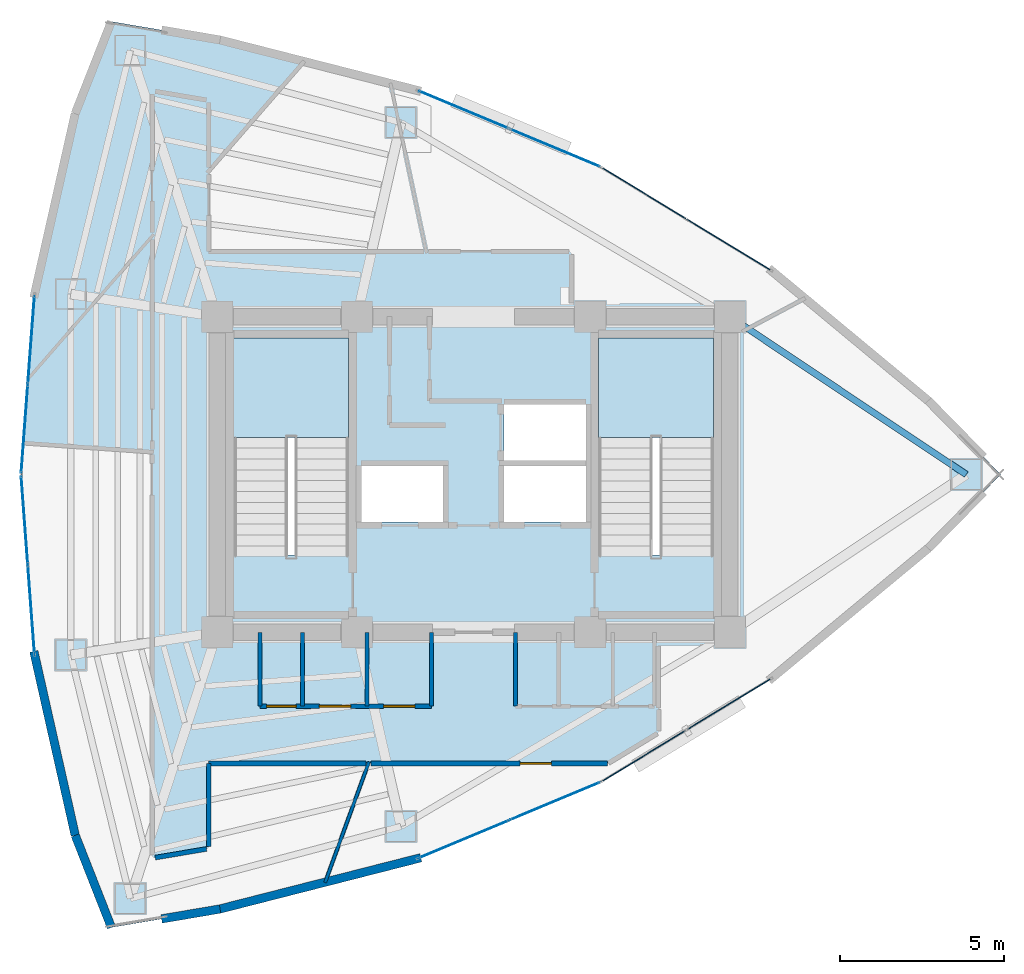
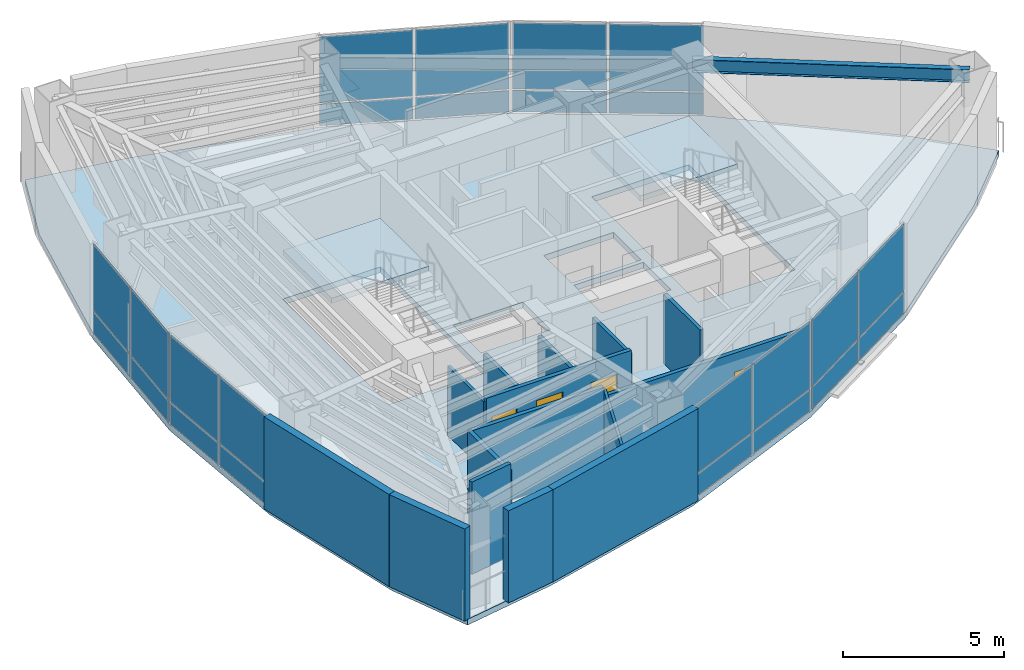
# One storey, part 11 of 15: 24 plates, 15 walls, 4 doors, 3 slabs, 1 beam, 4 openings, 8 elements without a shape of their own.
"""IFC4 building model written with IfcOpenShell, lengths in metres."""

from ifc_helpers import new_model, si_unit, direction, frame, frame_2d, origin, origin_2d, place, context, subcontext, project, spatial, polyline, rectangle, i_section, outline, extrude, material, layer, layer_set, material_profile, profile_set, type_object, element, fill, aggregate, save


model = new_model("IFC4")

# Units and contexts
model_context = context("Model", 3, precision=1e-05, world=origin(), true_north=direction((0.0, 1.0)))
body_context = subcontext(model_context, "Body", "Model", "MODEL_VIEW")
ifc_project = project(units=[si_unit("LENGTHUNIT", "METRE"), si_unit("AREAUNIT", "SQUARE_METRE"), si_unit("VOLUMEUNIT", "CUBIC_METRE"), si_unit("PLANEANGLEUNIT", "RADIAN"), si_unit("MASSUNIT", "GRAM", prefix="KILO")], contexts=[model_context])

# Site, building, storey
site_placement = place(None, origin())
site = spatial("IfcSite", under=ifc_project, at=site_placement, CompositionType="ELEMENT")
building_placement = place(site_placement, origin())
building = spatial("IfcBuilding", under=site, at=building_placement, Name="Menara Vayukalpa", CompositionType="ELEMENT")
storey_placement = place(building_placement, frame((0.0, 0.0, 223.260009765625)))
storey = spatial("IfcBuildingStorey", under=building, at=storey_placement, Name="L56", CompositionType="ELEMENT", Elevation=223.260009765625)

# Beam
ifc_material_1 = material(Name="Steel S355", Category="steel")
ifc_material_profile = material_profile(ifc_material_1, i_section(OverallWidth=0.199951171875, OverallDepth=0.5, WebThickness=0.010009765625, FlangeThickness=0.01611328125, at=origin_2d()), Name="WF 500x200x10x16")
ifc_profile_set = profile_set([ifc_material_profile], Name="Steel S355")
beam_type = type_object("IfcBeamType", Name="BM-SP3", PredefinedType="SPANDREL", material=ifc_profile_set)
beam_placement = place(storey_placement, frame((40.590576171875, 22.0, 3.25), z_axis=(-0.831715622571, 0.555201876052, 0.0), x_axis=(-0.555201876052, -0.831715622571, 0.0)))
element("IfcBeam", 1, at=beam_placement, inside=storey, type_object=beam_type, Name="L56 Perimeter Spandrel Beam SP01", PredefinedType="SPANDREL", context=body_context, shape_type="SweptSolid", body=[
    extrude(i_section(OverallWidth=0.199951171875, OverallDepth=0.5, WebThickness=0.010009765625, FlangeThickness=0.01611328125, at=origin_2d()), origin(), (0.0, 0.0, 1.0), 8.6455078125),
])

# Curtain wall, plates
ifc_material_2 = material(Name="Anodised Terracotta Aluminium Alloy 6063-T6", Category="masonry")
ifc_layer_1 = layer(ifc_material_2, 0.139892578125)
ifc_layer_set_1 = layer_set([ifc_layer_1], Name="Anodised Terracotta Aluminium Alloy 6063-T6")
curtain_wall_type = type_object("IfcCurtainWallType", Name="CW-CW5", PredefinedType="USERDEFINED", material=ifc_layer_set_1)
curtain_wall_1_placement = place(storey_placement, origin())
curtain_wall_1 = element("IfcCurtainWall", 2, at=curtain_wall_1_placement, inside=storey, type_object=curtain_wall_type, Name="L56 High Rise Tapered Curtain Wall CW5 04", ObjectType="UNITISED", PredefinedType="USERDEFINED")
ifc_material_3 = material(Name="Low-E Double Glazing", Category="glass")
ifc_layer_2 = layer(ifc_material_3, 0.028076171875)
ifc_layer_set_2 = layer_set([ifc_layer_2], Name="Low-E Double Glazing")
plate_type = type_object("IfcPlateType", Name="CWP-CW5", PredefinedType="CURTAIN_PANEL", material=ifc_layer_set_2)
plate_1_placement = place(storey_placement, frame((33.358642578125, 28.994384765625, 0.06005859375), z_axis=(0.0, 0.0, 1.0), x_axis=(-0.854664974832, 0.519179911779, 0.0)))
plate_1 = element("IfcPlate", 3, at=plate_1_placement, type_object=plate_type, Name="CW5 panel 1.1", PredefinedType="CURTAIN_PANEL", context=body_context, shape_type="SweptSolid", body=[
    extrude(rectangle(XDim=2.9423828125, YDim=0.028076171875, at=origin_2d()), origin(), (0.0, 0.0, 1.0), 0.81005859375),
])
plate_2_placement = place(storey_placement, frame((33.358642578125, 28.994384765625, 0.93017578125), z_axis=(0.0, 0.0, 1.0), x_axis=(-0.854664974832, 0.519179911779, 0.0)))
plate_2 = element("IfcPlate", 4, at=plate_2_placement, type_object=plate_type, Name="CW5 panel 1.2", PredefinedType="CURTAIN_PANEL", context=body_context, shape_type="SweptSolid", body=[
    extrude(rectangle(XDim=2.9423828125, YDim=0.028076171875, at=origin_2d()), origin(), (0.0, 0.0, 1.0), 2.510009765625),
])
plate_3_placement = place(storey_placement, frame((30.79248046875, 30.55322265625, 0.06005859375), z_axis=(0.0, 0.0, 1.0), x_axis=(-0.854664974832, 0.519179911779, 0.0)))
plate_3 = element("IfcPlate", 5, at=plate_3_placement, type_object=plate_type, Name="CW5 panel 2.1", PredefinedType="CURTAIN_PANEL", context=body_context, shape_type="SweptSolid", body=[
    extrude(rectangle(XDim=2.9423828125, YDim=0.028076171875, at=origin_2d()), origin(), (0.0, 0.0, 1.0), 0.81005859375),
])
plate_4_placement = place(storey_placement, frame((30.79248046875, 30.55322265625, 0.93017578125), z_axis=(0.0, 0.0, 1.0), x_axis=(-0.854664974832, 0.519179911779, 0.0)))
plate_4 = element("IfcPlate", 6, at=plate_4_placement, type_object=plate_type, Name="CW5 panel 2.2", PredefinedType="CURTAIN_PANEL", context=body_context, shape_type="SweptSolid", body=[
    extrude(rectangle(XDim=2.9423828125, YDim=0.028076171875, at=origin_2d()), origin(), (0.0, 0.0, 1.0), 2.510009765625),
])
aggregate(curtain_wall_1, [plate_1, plate_2, plate_3, plate_4])

curtain_wall_2_placement = place(storey_placement, origin())
curtain_wall_2 = element("IfcCurtainWall", 7, at=curtain_wall_2_placement, inside=storey, type_object=curtain_wall_type, Name="L56 High Rise Tapered Curtain Wall CW5 05", ObjectType="UNITISED", PredefinedType="USERDEFINED")
plate_5_placement = place(storey_placement, frame((28.071044921875, 31.93896484375, 0.06005859375), z_axis=(0.0, 0.0, 1.0), x_axis=(-0.922539431351, 0.385902834406, 0.0)))
plate_5 = element("IfcPlate", 8, at=plate_5_placement, type_object=plate_type, Name="CW5 panel 1.1", PredefinedType="CURTAIN_PANEL", context=body_context, shape_type="SweptSolid", body=[
    extrude(rectangle(XDim=2.9423828125, YDim=0.028076171875, at=origin_2d()), origin(), (0.0, 0.0, 1.0), 0.81005859375),
])
plate_6_placement = place(storey_placement, frame((28.071044921875, 31.93896484375, 0.93017578125), z_axis=(0.0, 0.0, 1.0), x_axis=(-0.922539431351, 0.385902834406, 0.0)))
plate_6 = element("IfcPlate", 9, at=plate_6_placement, type_object=plate_type, Name="CW5 panel 1.2", PredefinedType="CURTAIN_PANEL", context=body_context, shape_type="SweptSolid", body=[
    extrude(rectangle(XDim=2.9423828125, YDim=0.028076171875, at=origin_2d()), origin(), (0.0, 0.0, 1.0), 2.510009765625),
])
plate_7_placement = place(storey_placement, frame((25.30126953125, 33.09765625, 0.06005859375), z_axis=(0.0, 0.0, 1.0), x_axis=(-0.922539431351, 0.385902834406, 0.0)))
plate_7 = element("IfcPlate", 10, at=plate_7_placement, type_object=plate_type, Name="CW5 panel 2.1", PredefinedType="CURTAIN_PANEL", context=body_context, shape_type="SweptSolid", body=[
    extrude(rectangle(XDim=2.9423828125, YDim=0.028076171875, at=origin_2d()), origin(), (0.0, 0.0, 1.0), 0.81005859375),
])
plate_8_placement = place(storey_placement, frame((25.30126953125, 33.09765625, 0.93017578125), z_axis=(0.0, 0.0, 1.0), x_axis=(-0.922539431351, 0.385902834406, 0.0)))
plate_8 = element("IfcPlate", 11, at=plate_8_placement, type_object=plate_type, Name="CW5 panel 2.2", PredefinedType="CURTAIN_PANEL", context=body_context, shape_type="SweptSolid", body=[
    extrude(rectangle(XDim=2.9423828125, YDim=0.028076171875, at=origin_2d()), origin(), (0.0, 0.0, 1.0), 2.510009765625),
])
aggregate(curtain_wall_2, [plate_5, plate_6, plate_7, plate_8])

curtain_wall_3_placement = place(storey_placement, origin())
curtain_wall_3 = element("IfcCurtainWall", 12, at=curtain_wall_3_placement, inside=storey, type_object=curtain_wall_type, Name="L56 High Rise Tapered Curtain Wall CW5 10", ObjectType="UNITISED", PredefinedType="USERDEFINED")
plate_9_placement = place(storey_placement, frame((12.139892578125, 26.10205078125, 0.06005859375), z_axis=(0.0, 0.0, 1.0), x_axis=(-0.074791754736, -0.9971991744, 0.0)))
plate_9 = element("IfcPlate", 13, at=plate_9_placement, type_object=plate_type, Name="CW5 panel 1.1", PredefinedType="CURTAIN_PANEL", context=body_context, shape_type="SweptSolid", body=[
    extrude(rectangle(XDim=2.662353515625, YDim=0.028076171875, at=origin_2d()), origin(), (0.0, 0.0, 1.0), 0.81005859375),
])
plate_10_placement = place(storey_placement, frame((12.139892578125, 26.10205078125, 0.93017578125), z_axis=(0.0, 0.0, 1.0), x_axis=(-0.074791754736, -0.9971991744, 0.0)))
plate_10 = element("IfcPlate", 14, at=plate_10_placement, type_object=plate_type, Name="CW5 panel 1.2", PredefinedType="CURTAIN_PANEL", context=body_context, shape_type="SweptSolid", body=[
    extrude(rectangle(XDim=2.662353515625, YDim=0.028076171875, at=origin_2d()), origin(), (0.0, 0.0, 1.0), 2.510009765625),
])
plate_11_placement = place(storey_placement, frame((11.936279296875, 23.38720703125, 0.06005859375), z_axis=(0.0, 0.0, 1.0), x_axis=(-0.074791754736, -0.9971991744, 0.0)))
plate_11 = element("IfcPlate", 15, at=plate_11_placement, type_object=plate_type, Name="CW5 panel 2.1", PredefinedType="CURTAIN_PANEL", context=body_context, shape_type="SweptSolid", body=[
    extrude(rectangle(XDim=2.662353515625, YDim=0.028076171875, at=origin_2d()), origin(), (0.0, 0.0, 1.0), 0.81005859375),
])
plate_12_placement = place(storey_placement, frame((11.936279296875, 23.38720703125, 0.93017578125), z_axis=(0.0, 0.0, 1.0), x_axis=(-0.074791754736, -0.9971991744, 0.0)))
plate_12 = element("IfcPlate", 16, at=plate_12_placement, type_object=plate_type, Name="CW5 panel 2.2", PredefinedType="CURTAIN_PANEL", context=body_context, shape_type="SweptSolid", body=[
    extrude(rectangle(XDim=2.662353515625, YDim=0.028076171875, at=origin_2d()), origin(), (0.0, 0.0, 1.0), 2.510009765625),
])
aggregate(curtain_wall_3, [plate_9, plate_10, plate_11, plate_12])

curtain_wall_4_placement = place(storey_placement, origin())
curtain_wall_4 = element("IfcCurtainWall", 17, at=curtain_wall_4_placement, inside=storey, type_object=curtain_wall_type, Name="L56 High Rise Tapered Curtain Wall CW5 11", ObjectType="UNITISED", PredefinedType="USERDEFINED")
plate_13_placement = place(storey_placement, frame((11.936279296875, 20.61279296875, 0.06005859375), z_axis=(0.0, 0.0, 1.0), x_axis=(0.074791754736, -0.9971991744, 0.0)))
plate_13 = element("IfcPlate", 18, at=plate_13_placement, type_object=plate_type, Name="CW5 panel 1.1", PredefinedType="CURTAIN_PANEL", context=body_context, shape_type="SweptSolid", body=[
    extrude(rectangle(XDim=2.662353515625, YDim=0.028076171875, at=origin_2d()), origin(), (0.0, 0.0, 1.0), 0.81005859375),
])
plate_14_placement = place(storey_placement, frame((11.936279296875, 20.61279296875, 0.93017578125), z_axis=(0.0, 0.0, 1.0), x_axis=(0.074791754736, -0.9971991744, 0.0)))
plate_14 = element("IfcPlate", 19, at=plate_14_placement, type_object=plate_type, Name="CW5 panel 1.2", PredefinedType="CURTAIN_PANEL", context=body_context, shape_type="SweptSolid", body=[
    extrude(rectangle(XDim=2.662353515625, YDim=0.028076171875, at=origin_2d()), origin(), (0.0, 0.0, 1.0), 2.510009765625),
])
plate_15_placement = place(storey_placement, frame((12.139892578125, 17.89794921875, 0.06005859375), z_axis=(0.0, 0.0, 1.0), x_axis=(0.074791754736, -0.9971991744, 0.0)))
plate_15 = element("IfcPlate", 20, at=plate_15_placement, type_object=plate_type, Name="CW5 panel 2.1", PredefinedType="CURTAIN_PANEL", context=body_context, shape_type="SweptSolid", body=[
    extrude(rectangle(XDim=2.662353515625, YDim=0.028076171875, at=origin_2d()), origin(), (0.0, 0.0, 1.0), 0.81005859375),
])
plate_16_placement = place(storey_placement, frame((12.139892578125, 17.89794921875, 0.93017578125), z_axis=(0.0, 0.0, 1.0), x_axis=(0.074791754736, -0.9971991744, 0.0)))
plate_16 = element("IfcPlate", 21, at=plate_16_placement, type_object=plate_type, Name="CW5 panel 2.2", PredefinedType="CURTAIN_PANEL", context=body_context, shape_type="SweptSolid", body=[
    extrude(rectangle(XDim=2.662353515625, YDim=0.028076171875, at=origin_2d()), origin(), (0.0, 0.0, 1.0), 2.510009765625),
])
aggregate(curtain_wall_4, [plate_13, plate_14, plate_15, plate_16])

curtain_wall_5_placement = place(storey_placement, origin())
curtain_wall_5 = element("IfcCurtainWall", 22, at=curtain_wall_5_placement, inside=storey, type_object=curtain_wall_type, Name="L56 High Rise Tapered Curtain Wall CW5 16", ObjectType="UNITISED", PredefinedType="USERDEFINED")
plate_17_placement = place(storey_placement, frame((25.30126953125, 10.90234375, 0.06005859375), z_axis=(0.0, 0.0, 1.0), x_axis=(0.922539431351, 0.385902834406, 0.0)))
plate_17 = element("IfcPlate", 23, at=plate_17_placement, type_object=plate_type, Name="CW5 panel 1.1", PredefinedType="CURTAIN_PANEL", context=body_context, shape_type="SweptSolid", body=[
    extrude(rectangle(XDim=2.9423828125, YDim=0.028076171875, at=origin_2d()), origin(), (0.0, 0.0, 1.0), 0.81005859375),
])
plate_18_placement = place(storey_placement, frame((25.30126953125, 10.90234375, 0.93017578125), z_axis=(0.0, 0.0, 1.0), x_axis=(0.922539431351, 0.385902834406, 0.0)))
plate_18 = element("IfcPlate", 24, at=plate_18_placement, type_object=plate_type, Name="CW5 panel 1.2", PredefinedType="CURTAIN_PANEL", context=body_context, shape_type="SweptSolid", body=[
    extrude(rectangle(XDim=2.9423828125, YDim=0.028076171875, at=origin_2d()), origin(), (0.0, 0.0, 1.0), 2.510009765625),
])
plate_19_placement = place(storey_placement, frame((28.071044921875, 12.06103515625, 0.06005859375), z_axis=(0.0, 0.0, 1.0), x_axis=(0.922539431351, 0.385902834406, 0.0)))
plate_19 = element("IfcPlate", 25, at=plate_19_placement, type_object=plate_type, Name="CW5 panel 2.1", PredefinedType="CURTAIN_PANEL", context=body_context, shape_type="SweptSolid", body=[
    extrude(rectangle(XDim=2.9423828125, YDim=0.028076171875, at=origin_2d()), origin(), (0.0, 0.0, 1.0), 0.81005859375),
])
plate_20_placement = place(storey_placement, frame((28.071044921875, 12.06103515625, 0.93017578125), z_axis=(0.0, 0.0, 1.0), x_axis=(0.922539431351, 0.385902834406, 0.0)))
plate_20 = element("IfcPlate", 26, at=plate_20_placement, type_object=plate_type, Name="CW5 panel 2.2", PredefinedType="CURTAIN_PANEL", context=body_context, shape_type="SweptSolid", body=[
    extrude(rectangle(XDim=2.9423828125, YDim=0.028076171875, at=origin_2d()), origin(), (0.0, 0.0, 1.0), 2.510009765625),
])
aggregate(curtain_wall_5, [plate_17, plate_18, plate_19, plate_20])

curtain_wall_6_placement = place(storey_placement, origin())
curtain_wall_6 = element("IfcCurtainWall", 27, at=curtain_wall_6_placement, inside=storey, type_object=curtain_wall_type, Name="L56 High Rise Tapered Curtain Wall CW5 17", ObjectType="UNITISED", PredefinedType="USERDEFINED")
plate_21_placement = place(storey_placement, frame((30.79248046875, 13.44677734375, 0.06005859375), z_axis=(0.0, 0.0, 1.0), x_axis=(0.854664974832, 0.519179911779, 0.0)))
plate_21 = element("IfcPlate", 28, at=plate_21_placement, type_object=plate_type, Name="CW5 panel 1.1", PredefinedType="CURTAIN_PANEL", context=body_context, shape_type="SweptSolid", body=[
    extrude(rectangle(XDim=2.9423828125, YDim=0.028076171875, at=origin_2d()), origin(), (0.0, 0.0, 1.0), 0.81005859375),
])
plate_22_placement = place(storey_placement, frame((30.79248046875, 13.44677734375, 0.93017578125), z_axis=(0.0, 0.0, 1.0), x_axis=(0.854664974832, 0.519179911779, 0.0)))
plate_22 = element("IfcPlate", 29, at=plate_22_placement, type_object=plate_type, Name="CW5 panel 1.2", PredefinedType="CURTAIN_PANEL", context=body_context, shape_type="SweptSolid", body=[
    extrude(rectangle(XDim=2.9423828125, YDim=0.028076171875, at=origin_2d()), origin(), (0.0, 0.0, 1.0), 2.510009765625),
])
plate_23_placement = place(storey_placement, frame((33.358642578125, 15.005615234375, 0.06005859375), z_axis=(0.0, 0.0, 1.0), x_axis=(0.854664974832, 0.519179911779, 0.0)))
plate_23 = element("IfcPlate", 30, at=plate_23_placement, type_object=plate_type, Name="CW5 panel 2.1", PredefinedType="CURTAIN_PANEL", context=body_context, shape_type="SweptSolid", body=[
    extrude(rectangle(XDim=2.9423828125, YDim=0.028076171875, at=origin_2d()), origin(), (0.0, 0.0, 1.0), 0.81005859375),
])
plate_24_placement = place(storey_placement, frame((33.358642578125, 15.005615234375, 0.93017578125), z_axis=(0.0, 0.0, 1.0), x_axis=(0.854664974832, 0.519179911779, 0.0)))
plate_24 = element("IfcPlate", 31, at=plate_24_placement, type_object=plate_type, Name="CW5 panel 2.2", PredefinedType="CURTAIN_PANEL", context=body_context, shape_type="SweptSolid", body=[
    extrude(rectangle(XDim=2.9423828125, YDim=0.028076171875, at=origin_2d()), origin(), (0.0, 0.0, 1.0), 2.510009765625),
])
aggregate(curtain_wall_6, [plate_21, plate_22, plate_23, plate_24])

# Slab
ifc_material_4 = material(Name="Concrete C40/50", Category="concrete")
ifc_layer_3 = layer(ifc_material_4, 0.219970703125)
ifc_layer_set_3 = layer_set([ifc_layer_3], Name="Concrete C40/50")
slab_type_1 = type_object("IfcSlabType", Name="SLB-FL220", PredefinedType="FLOOR", material=ifc_layer_set_3)
slab_1_placement = place(storey_placement, frame((0.0, 0.0, -0.219970703125)))
element("IfcSlab", 32, at=slab_1_placement, inside=storey, type_object=slab_type_1, Name="L56 Structural Floor Slab", PredefinedType="FLOOR", context=body_context, shape_type="SweptSolid", body=[
    extrude(outline(polyline([(39.439208984375, 19.7578125), (41.640380859375, 22.0), (39.439208984375, 24.2421875), (34.667236328125, 28.19921875), (29.48388671875, 31.34814453125), (23.888671875, 33.688720703125), (17.881591796875, 35.220703125), (14.579833984375, 35.781005859375), (13.47900390625, 32.978515625), (12.243896484375, 27.4892578125), (11.832275390625, 22.0), (12.243896484375, 16.5107421875), (13.47900390625, 11.021484375), (14.579833984375, 8.218994140625), (17.881591796875, 8.779296875), (23.888671875, 10.311279296875), (29.48388671875, 12.65185546875), (34.667236328125, 15.80078125), (39.439208984375, 19.7578125)]), holes=[polyline([(21.800048828125, 19.550048828125), (21.800048828125, 26.14990234375), (18.300048828125, 26.14990234375), (18.300048828125, 19.550048828125), (21.800048828125, 19.550048828125)]), polyline([(32.89990234375, 19.550048828125), (32.89990234375, 26.14990234375), (29.39990234375, 26.14990234375), (29.39990234375, 19.550048828125), (32.89990234375, 19.550048828125)]), polyline([(22.179931640625, 20.550048828125), (24.679931640625, 20.550048828125), (24.679931640625, 22.27001953125), (22.179931640625, 22.27001953125), (22.179931640625, 20.550048828125)]), polyline([(26.52001953125, 20.550048828125), (29.02001953125, 20.550048828125), (29.02001953125, 22.27001953125), (26.52001953125, 22.27001953125), (26.52001953125, 20.550048828125)]), polyline([(26.52001953125, 22.419921875), (29.02001953125, 22.419921875), (29.02001953125, 24.139892578125), (26.52001953125, 24.139892578125), (26.52001953125, 22.419921875)])]), origin(), (0.0, 0.0, 1.0), 0.219970703125),
])

# Stair, slab
ifc_material_5 = material(Name="Precast Concrete C40/50", Category="concrete")
stair_type = type_object("IfcStairType", Name="STR-T04", PredefinedType="DOUBLE_RETURN_STAIR", material=ifc_material_5)
stair_1_placement = place(storey_placement, origin())
stair_1 = element("IfcStair", 33, at=stair_1_placement, inside=storey, type_object=stair_type, Name="L56 Core Exit Stair ST-1", PredefinedType="DOUBLE_RETURN_STAIR")
ifc_material_6 = material(Name="Precast Concrete C40/50", Category="concrete")
ifc_layer_4 = layer(ifc_material_6, 0.199951171875)
ifc_layer_set_4 = layer_set([ifc_layer_4], Name="Precast Concrete C40/50")
slab_type_2 = type_object("IfcSlabType", Name="SLB-LND200", PredefinedType="LANDING", material=ifc_layer_set_4)
slab_2_placement = place(storey_placement, frame((0.0, 0.0, 1.659912109375)))
slab_2 = element("IfcSlab", 34, at=slab_2_placement, type_object=slab_type_2, Name="ST-1 landing 1", PredefinedType="LANDING", context=body_context, shape_type="SweptSolid", body=[
    extrude(outline(polyline([(21.800048828125, 23.1298828125), (21.800048828125, 26.14990234375), (18.300048828125, 26.14990234375), (18.300048828125, 23.1298828125), (21.800048828125, 23.1298828125)])), origin(), (0.0, 0.0, 1.0), 0.2001953125),
])
aggregate(stair_1, [slab_2])

stair_2_placement = place(storey_placement, origin())
stair_2 = element("IfcStair", 35, at=stair_2_placement, inside=storey, type_object=stair_type, Name="L56 Core Exit Stair ST-2", PredefinedType="DOUBLE_RETURN_STAIR")
slab_3_placement = place(storey_placement, frame((0.0, 0.0, 1.659912109375)))
slab_3 = element("IfcSlab", 36, at=slab_3_placement, type_object=slab_type_2, Name="ST-2 landing 1", PredefinedType="LANDING", context=body_context, shape_type="SweptSolid", body=[
    extrude(outline(polyline([(32.89990234375, 23.1298828125), (32.89990234375, 26.14990234375), (29.39990234375, 26.14990234375), (29.39990234375, 23.1298828125), (32.89990234375, 23.1298828125)])), origin(), (0.0, 0.0, 1.0), 0.2001953125),
])
aggregate(stair_2, [slab_3])

# Walls
ifc_material_7 = material(Name="Insulated Precast Concrete C40/50", Category="concrete")
ifc_layer_5 = layer(ifc_material_7, 0.260009765625)
ifc_layer_set_5 = layer_set([ifc_layer_5], Name="Insulated Precast Concrete C40/50")
wall_type_1 = type_object("IfcWallType", Name="WAL-EXT260", PredefinedType="PARTITIONING", material=ifc_layer_set_5)
wall_1_placement = place(storey_placement, frame((13.47900390625, 11.021484375, 0.0), z_axis=(0.0, 0.0, 1.0), x_axis=(-0.219475737697, 0.975617958303, 0.0)))
element("IfcWall", 37, at=wall_1_placement, inside=storey, type_object=wall_type_1, Name="L56 Perimeter Terracotta Pier Wall 12", PredefinedType="PARTITIONING", context=body_context, shape_type="SweptSolid", body=[
    extrude(rectangle(XDim=5.736572265625, YDim=0.260009765625, at=frame_2d((2.8681640625, 0.0))), origin(), (0.0, 0.0, 1.0), 3.5),
])
wall_2_placement = place(storey_placement, frame((14.579833984375, 8.218994140625, 0.0), z_axis=(0.0, 0.0, 1.0), x_axis=(-0.365609724313, 0.930768246927, 0.0)))
element("IfcWall", 38, at=wall_2_placement, inside=storey, type_object=wall_type_1, Name="L56 Perimeter Terracotta Pier Wall 13", PredefinedType="PARTITIONING", context=body_context, shape_type="SweptSolid", body=[
    extrude(rectangle(XDim=3.010986328125, YDim=0.260009765625, at=frame_2d((1.50537109375, 0.0))), origin(), (0.0, 0.0, 1.0), 3.5),
])
wall_3_placement = place(storey_placement, frame((17.8876953125, 8.780517578125, 0.0), z_axis=(0.0, 0.0, 1.0), x_axis=(-0.985877723898, -0.167466753484, 0.0)))
element("IfcWall", 39, at=wall_3_placement, inside=storey, type_object=wall_type_1, Name="L56 Perimeter Terracotta Pier Wall 14", PredefinedType="PARTITIONING", context=body_context, shape_type="SweptSolid", body=[
    extrude(rectangle(XDim=1.80615234375, YDim=0.260009765625, at=frame_2d((0.903076171875, 0.0))), origin(), (0.0, 0.0, 1.0), 3.5),
])
wall_4_placement = place(storey_placement, frame((23.9951171875, 10.338623046875, 0.0), z_axis=(0.0, 0.0, 1.0), x_axis=(-0.968976240439, -0.247153890246, 0.0)))
element("IfcWall", 40, at=wall_4_placement, inside=storey, type_object=wall_type_1, Name="L56 Perimeter Terracotta Pier Wall 15", PredefinedType="PARTITIONING", context=body_context, shape_type="SweptSolid", body=[
    extrude(rectangle(XDim=6.31494140625, YDim=0.260009765625, at=frame_2d((3.157470703125, 0.0))), origin(), (0.0, 0.0, 1.0), 3.5),
])
ifc_material_8 = material(Name="Glazed Demountable Office Partition", Category="glass")
ifc_layer_6 = layer(ifc_material_8, 0.094970703125)
ifc_layer_set_6 = layer_set([ifc_layer_6], Name="Glazed Demountable Office Partition")
wall_type_2 = type_object("IfcWallType", Name="WAL-PT100", PredefinedType="PARTITIONING", material=ifc_layer_set_6)
wall_5_placement = place(storey_placement, frame((22.4189453125, 13.260009765625, 0.0), z_axis=(0.0, 0.0, 1.0), x_axis=(-0.342048810679, -0.939682186227, 0.0)))
element("IfcWall", 41, at=wall_5_placement, inside=storey, type_object=wall_type_2, Name="L56 Interior Partition IW-L56-RDIV04", PredefinedType="PARTITIONING", context=body_context, shape_type="SweptSolid", body=[
    extrude(rectangle(XDim=3.91064453125, YDim=0.094970703125, at=frame_2d((1.955322265625, 0.0))), origin(), (0.0, 0.0, 1.0), 2.97998046875),
])
ifc_material_9 = material(Name="Acoustic Mineral Stud Partition", Category="masonry")
ifc_layer_7 = layer(ifc_material_9, 0.110107421875)
ifc_layer_set_7 = layer_set([ifc_layer_7], Name="Acoustic Mineral Stud Partition")
wall_type_3 = type_object("IfcWallType", Name="WAL-PT110", PredefinedType="PARTITIONING", material=ifc_layer_set_7)
for number, where, z_axis, x_axis, name in (
    (42, (19.10009765625, 14.949951171875, 0.0), (0.0, 0.0, 1.0), (0.0, 1.0, 0.0), "L56 Interior Partition IW-L56-SVCD-01"),
    (43, (24.320068359375, 14.949951171875, 0.0), (0.0, 0.0, 1.0), (0.0, 1.0, 0.0), "L56 Interior Partition IW-L56-SVCD-04"),
):
    element("IfcWall", number, at=place(storey_placement, frame(where, z_axis=z_axis, x_axis=x_axis)), inside=storey, type_object=wall_type_3, Name=name, PredefinedType="PARTITIONING", context=body_context, shape_type="SweptSolid", body=[
        extrude(rectangle(XDim=2.25, YDim=0.110107421875, at=frame_2d((1.125, 0.0))), origin(), (0.0, 0.0, 1.0), 2.6298828125),
    ])
ifc_material_10 = material(Name="Gypsum Drywall Steel Stud Assembly", Category="steel")
ifc_layer_8 = layer(ifc_material_10, 0.125)
ifc_layer_set_8 = layer_set([ifc_layer_8], Name="Gypsum Drywall Steel Stud Assembly")
wall_type_4 = type_object("IfcWallType", Name="WAL-PT125", PredefinedType="PARTITIONING", material=ifc_layer_set_8)
for number, where, z_axis, x_axis, name in (
    (44, (20.39990234375, 14.949951171875, 0.0), (0.0, 0.0, 1.0), (0.0, 1.0, 0.0), "L56 Interior Partition IW-L56-SVCD-02"),
    (45, (22.360107421875, 14.949951171875, 0.0), (0.0, 0.0, 1.0), (0.0, 1.0, 0.0), "L56 Interior Partition IW-L56-SVCD-03"),
    (46, (26.8798828125, 14.949951171875, 0.0), (0.0, 0.0, 1.0), (0.0, 1.0, 0.0), "L56 Interior Partition IW-L56-SVCD-05"),
):
    element("IfcWall", number, at=place(storey_placement, frame(where, z_axis=z_axis, x_axis=x_axis)), inside=storey, type_object=wall_type_4, Name=name, PredefinedType="PARTITIONING", context=body_context, shape_type="SweptSolid", body=[
        extrude(rectangle(XDim=2.25, YDim=0.125, at=frame_2d((1.125, 0.0))), origin(), (0.0, 0.0, 1.0), 2.6298828125),
    ])

# Wall, openings, doors
ifc_material_11 = material(Name="Gypsum Drywall Acoustic Stud Assembly", Category="masonry")
ifc_layer_9 = layer(ifc_material_11, 0.14501953125)
ifc_layer_set_9 = layer_set([ifc_layer_9], Name="Gypsum Drywall Acoustic Stud Assembly")
wall_type_5 = type_object("IfcWallType", Name="WAL-PT150", PredefinedType="PARTITIONING", material=ifc_layer_set_9)
wall_6_placement = place(storey_placement, frame((19.10009765625, 14.949951171875, 0.0), z_axis=(0.0, 0.0, 1.0), x_axis=(1.0, 0.0, 0.0)))
wall_6 = element("IfcWall", 47, at=wall_6_placement, inside=storey, type_object=wall_type_5, Name="L56 Interior Partition IW-L56-SVCS-W", PredefinedType="PARTITIONING", context=body_context, shape_type="SweptSolid", body=[
    extrude(rectangle(XDim=5.219970703125, YDim=0.14501953125, at=frame_2d((2.60986328125, 0.0))), origin(), (0.0, 0.0, 1.0), 2.780029296875),
])
opening_1_placement = place(wall_6_placement, frame((0.199951171875, 0.0, 0.0)))
opening_1 = element("IfcOpeningElement", 48, at=opening_1_placement, cuts=wall_6, Name="Opening ID7", PredefinedType="OPENING", context=body_context, shape_type="SweptSolid", body=[
    extrude(rectangle(XDim=0.89990234375, YDim=2.02001953125, at=frame_2d((0.449951171875, 1.010009765625))), frame((0.0, 0.08251953125, 0.0), z_axis=(0.0, -1.0, 0.0), x_axis=(1.0, 0.0, 0.0)), (0.0, 0.0, 1.0), 0.1650390625),
])
opening_2_placement = place(wall_6_placement, frame((1.804931640625, 0.0, 0.0)))
opening_2 = element("IfcOpeningElement", 49, at=opening_2_placement, cuts=wall_6, Name="Opening ID5", PredefinedType="OPENING", context=body_context, shape_type="SweptSolid", body=[
    extrude(rectangle(XDim=0.949951171875, YDim=2.06005859375, at=frame_2d((0.47509765625, 1.030029296875))), frame((0.0, 0.08251953125, 0.0), z_axis=(0.0, -1.0, 0.0), x_axis=(1.0, 0.0, 0.0)), (0.0, 0.0, 1.0), 0.1650390625),
])
opening_3_placement = place(wall_6_placement, frame((3.764892578125, 0.0, 0.0)))
opening_3 = element("IfcOpeningElement", 50, at=opening_3_placement, cuts=wall_6, Name="Opening ID5", PredefinedType="OPENING", context=body_context, shape_type="SweptSolid", body=[
    extrude(rectangle(XDim=0.949951171875, YDim=2.06005859375, at=frame_2d((0.47509765625, 1.030029296875))), frame((0.0, 0.08251953125, 0.0), z_axis=(0.0, -1.0, 0.0), x_axis=(1.0, 0.0, 0.0)), (0.0, 0.0, 1.0), 0.1650390625),
])
ifc_material_12 = material(Name="Acoustic Hardwood Veneer Timber Door", Category="wood")
door_type_1 = type_object("IfcDoorType", Name="DR-INT95", OperationType="NOTDEFINED", PredefinedType="DOOR", material=ifc_material_12)
door_1_placement = place(opening_2_placement, origin())
door_1 = element("IfcDoor", 51, at=door_1_placement, inside=storey, type_object=door_type_1, Name="L56 Interior Door DR-L56-AWC", OperationType="SINGLE_SWING_LEFT", OverallHeight=2.06005859375, OverallWidth=0.949951171875, PredefinedType="DOOR", context=body_context, shape_type="SweptSolid", body=[
    extrude(rectangle(XDim=0.949951171875, YDim=2.06005859375, at=frame_2d((0.47509765625, 1.030029296875))), frame((0.0, 0.02490234375, 0.0), z_axis=(0.0, -1.0, 0.0), x_axis=(1.0, 0.0, 0.0)), (0.0, 0.0, 1.0), 0.050048828125),
])
fill(opening_2, door_1)
door_2_placement = place(opening_3_placement, origin())
door_2 = element("IfcDoor", 52, at=door_2_placement, inside=storey, type_object=door_type_1, Name="L56 Interior Door DR-L56-SWC", OperationType="SINGLE_SWING_RIGHT", OverallHeight=2.06005859375, OverallWidth=0.949951171875, PredefinedType="DOOR", context=body_context, shape_type="SweptSolid", body=[
    extrude(rectangle(XDim=0.949951171875, YDim=2.06005859375, at=frame_2d((0.47509765625, 1.030029296875))), frame((0.0, 0.02490234375, 0.0), z_axis=(0.0, -1.0, 0.0), x_axis=(1.0, 0.0, 0.0)), (0.0, 0.0, 1.0), 0.050048828125),
])
fill(opening_3, door_2)
ifc_material_13 = material(Name="Powder-Coated Steel Riser Access Door", Category="steel")
door_type_2 = type_object("IfcDoorType", Name="DR-RISER", OperationType="NOTDEFINED", PredefinedType="DOOR", material=ifc_material_13)
door_3_placement = place(opening_1_placement, origin())
door_3 = element("IfcDoor", 53, at=door_3_placement, inside=storey, type_object=door_type_2, Name="L56 Interior Door DR-L56-ELR", OperationType="SINGLE_SWING_RIGHT", OverallHeight=2.02001953125, OverallWidth=0.89990234375, PredefinedType="DOOR", context=body_context, shape_type="SweptSolid", body=[
    extrude(rectangle(XDim=0.89990234375, YDim=2.02001953125, at=frame_2d((0.449951171875, 1.010009765625))), frame((0.0, 0.02490234375, 0.0), z_axis=(0.0, -1.0, 0.0), x_axis=(1.0, 0.0, 0.0)), (0.0, 0.0, 1.0), 0.050048828125),
])
fill(opening_1, door_3)

# Walls
wall_7_placement = place(storey_placement, frame((15.913330078125, 10.342041015625, 0.0), z_axis=(0.0, 0.0, 1.0), x_axis=(0.985914419316, 0.167250583809, 0.0)))
element("IfcWall", 54, at=wall_7_placement, inside=storey, type_object=wall_type_5, Name="L56 Interior Partition IW-L56-CRM01-2", PredefinedType="PARTITIONING", context=body_context, shape_type="SweptSolid", body=[
    extrude(rectangle(XDim=1.582275390625, YDim=0.14501953125, at=frame_2d((0.791015625, 0.0))), origin(), (0.0, 0.0, 1.0), 3.5),
])
wall_8_placement = place(storey_placement, frame((17.5400390625, 10.685791015625, 0.0), z_axis=(0.0, 0.0, 1.0), x_axis=(0.0, 1.0, 0.0)))
element("IfcWall", 55, at=wall_8_placement, inside=storey, type_object=wall_type_5, Name="L56 Interior Partition IW-L56-CRM01-3", PredefinedType="PARTITIONING", context=body_context, shape_type="SweptSolid", body=[
    extrude(rectangle(XDim=2.524169921875, YDim=0.14501953125, at=frame_2d((1.26220703125, 0.0))), origin(), (0.0, 0.0, 1.0), 3.1298828125),
])
wall_9_placement = place(storey_placement, frame((17.5400390625, 13.2099609375, 0.0), z_axis=(0.0, 0.0, 1.0), x_axis=(1.0, 0.0, 0.0)))
element("IfcWall", 56, at=wall_9_placement, inside=storey, type_object=wall_type_5, Name="L56 Interior Partition IW-L56-CRM01-4", PredefinedType="PARTITIONING", context=body_context, shape_type="SweptSolid", body=[
    extrude(rectangle(XDim=4.7861328125, YDim=0.14501953125, at=frame_2d((2.39306640625, 0.0))), origin(), (0.0, 0.0, 1.0), 3.1298828125),
])

# Wall, opening, door
wall_10_placement = place(storey_placement, frame((22.47509765625, 13.2099609375, 0.0), z_axis=(0.0, 0.0, 1.0), x_axis=(1.0, 0.0, 0.0)))
wall_10 = element("IfcWall", 57, at=wall_10_placement, inside=storey, type_object=wall_type_5, Name="L56 Interior Partition IW-L56-CRM03-1", PredefinedType="PARTITIONING", context=body_context, shape_type="SweptSolid", body=[
    extrude(rectangle(XDim=7.1923828125, YDim=0.14501953125, at=frame_2d((3.59619140625, 0.0))), origin(), (0.0, 0.0, 1.0), 2.780029296875),
])
opening_4_placement = place(wall_10_placement, frame((4.541748046875, 0.0, 0.0)))
opening_4 = element("IfcOpeningElement", 58, at=opening_4_placement, cuts=wall_10, Name="Opening ID5", PredefinedType="OPENING", context=body_context, shape_type="SweptSolid", body=[
    extrude(rectangle(XDim=0.949951171875, YDim=2.06005859375, at=frame_2d((0.47509765625, 1.030029296875))), frame((0.0, 0.08251953125, 0.0), z_axis=(0.0, -1.0, 0.0), x_axis=(1.0, 0.0, 0.0)), (0.0, 0.0, 1.0), 0.1650390625),
])
door_4_placement = place(opening_4_placement, origin())
door_4 = element("IfcDoor", 59, at=door_4_placement, inside=storey, type_object=door_type_1, Name="L56 Interior Door DR-L56-RM03", OperationType="SINGLE_SWING_LEFT", OverallHeight=2.06005859375, OverallWidth=0.949951171875, PredefinedType="DOOR", context=body_context, shape_type="SweptSolid", body=[
    extrude(rectangle(XDim=0.949951171875, YDim=2.06005859375, at=frame_2d((0.47509765625, 1.030029296875))), frame((0.0, 0.02490234375, 0.0), z_axis=(0.0, -1.0, 0.0), x_axis=(1.0, 0.0, 0.0)), (0.0, 0.0, 1.0), 0.050048828125),
])
fill(opening_4, door_4)

save(model, "model.ifc")
